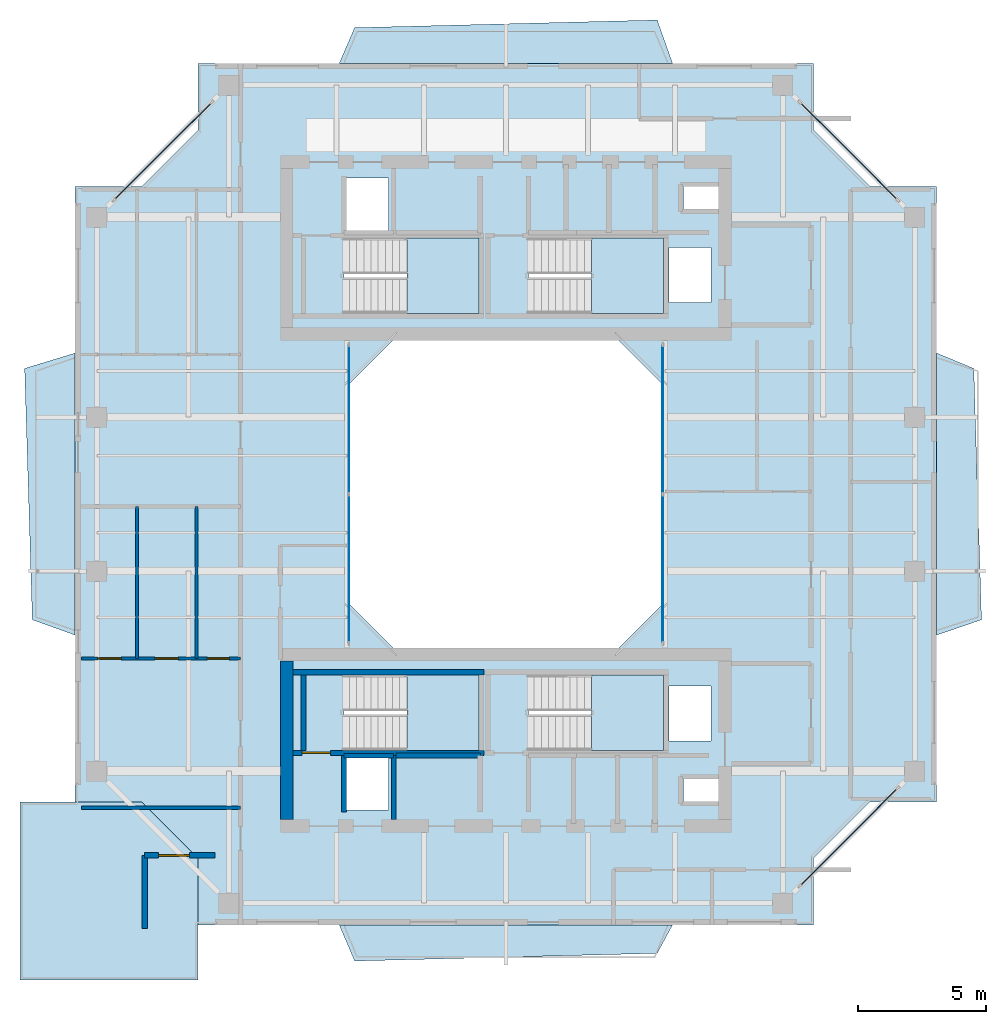
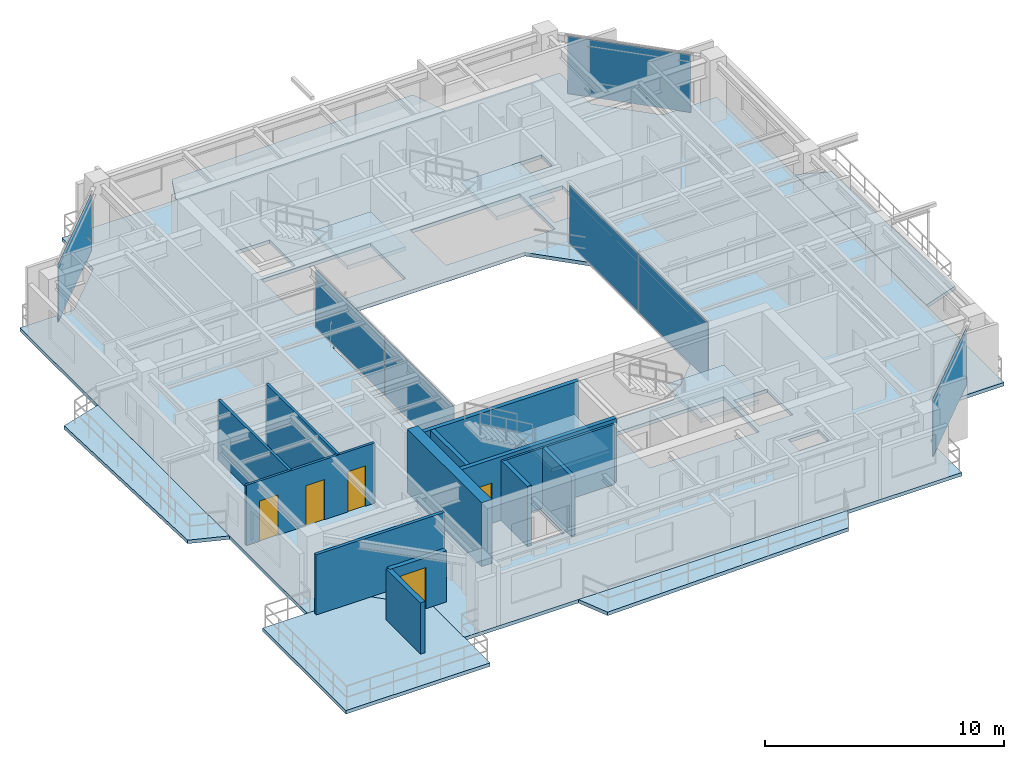
# One storey, part 8 of 15: 14 walls, 10 slabs, 7 plates, 5 doors, 5 openings, 9 elements without a shape of their own.
"""IFC4 building model written with IfcOpenShell, lengths in metres."""

import ifcopenshell
import ifcopenshell.guid

model = None  # the IFC model being written
_history = None  # IfcOwnerHistory: only IFC2X3 demands one
_inside = {}  # id of a spatial element -> (the spatial element, [elements in it])
_under = {}  # id of a project, library or spatial element -> (it, [spatial elements below it])
_declared = {}  # id of a project -> (the project, [libraries it declares])
_typed = {}  # id of a type object -> (the type object, [elements of that type])
_made_of = {}  # id of a material, layer set ... -> (it, [elements and type objects made of it])


def new_model(schema):
    """Start an empty IFC model of exactly this schema.

    Asked for "IFC4X3", IfcOpenShell would pick the latest addendum, in which some entities
    have other attributes; the version numbers below select the first issue.
    IFC2X3 requires an IfcOwnerHistory on every rooted entity: one is made here for all.
    """
    global model, _history
    if schema == "IFC4X3":
        model = ifcopenshell.file(schema_version=(4, 3, 0, 0))
    else:
        model = ifcopenshell.file(schema=schema)
    _inside.clear()
    _under.clear()
    _declared.clear()
    _typed.clear()
    _made_of.clear()
    _history = None
    if model.schema == "IFC2X3":
        org = make("IfcOrganization", Name="unknown")
        user = make(
            "IfcPersonAndOrganization",
            ThePerson=make("IfcPerson", FamilyName="unknown"),
            TheOrganization=org,
        )
        app = make(
            "IfcApplication",
            ApplicationDeveloper=org,
            Version="unknown",
            ApplicationFullName="unknown",
            ApplicationIdentifier="unknown",
        )
        _history = make(
            "IfcOwnerHistory",
            OwningUser=user,
            OwningApplication=app,
            ChangeAction="ADDED",
            CreationDate=0,
        )
    return model


def make(cls, **values):
    """One entity of the class cls with the attributes given. An attribute that is None is left unset."""
    return model.create_entity(
        cls, **{name: value for name, value in values.items() if value is not None}
    )


def rooted(cls, **values):
    """An entity with a GlobalId (a new one), such as an element, a storey or a relation."""
    return make(cls, GlobalId=ifcopenshell.guid.new(), OwnerHistory=_history, **values)


def si_unit(unit_type, name, prefix=None):
    """IfcSIUnit, for example si_unit("LENGTHUNIT", "METRE", prefix="MILLI")."""
    return make("IfcSIUnit", UnitType=unit_type, Prefix=prefix, Name=name)


def assignment(units):
    """IfcUnitAssignment: the units of a project."""
    return None if units is None else make("IfcUnitAssignment", Units=units)


def point(xyz):
    """IfcCartesianPoint."""
    return None if xyz is None else make("IfcCartesianPoint", Coordinates=xyz)


def direction(xyz):
    """IfcDirection."""
    return None if xyz is None else make("IfcDirection", DirectionRatios=xyz)


def frame(location, z_axis=None, x_axis=None):
    """IfcAxis2Placement3D, a coordinate frame: its origin and axes. An axis left out is left unset."""
    return make(
        "IfcAxis2Placement3D",
        Location=point(location),
        Axis=direction(z_axis),
        RefDirection=direction(x_axis),
    )


def frame_2d(location, x_axis=None):
    """IfcAxis2Placement2D, a coordinate frame in the plane: its origin and x axis."""
    return make(
        "IfcAxis2Placement2D", Location=point(location), RefDirection=direction(x_axis)
    )


def origin():
    """The frame at (0, 0, 0) with its axes left unset."""
    return frame((0.0, 0.0, 0.0))


def origin_2d():
    """The frame at (0, 0) in the plane with its x axis left unset."""
    return frame_2d((0.0, 0.0))


def place(relative_to, where):
    """IfcLocalPlacement: puts the frame where relative to a parent placement (None: the world)."""
    return make(
        "IfcLocalPlacement", PlacementRelTo=relative_to, RelativePlacement=where
    )


def context(
    kind, dimensions, precision=None, world=None, true_north=None, identifier=None
):
    """IfcGeometricRepresentationContext, for example the 3D "Model" context."""
    return make(
        "IfcGeometricRepresentationContext",
        ContextIdentifier=identifier,
        ContextType=kind,
        CoordinateSpaceDimension=dimensions,
        Precision=precision,
        WorldCoordinateSystem=world,
        TrueNorth=true_north,
    )


def subcontext(parent, identifier, kind, view, scale=None):
    """IfcGeometricRepresentationSubContext, for example "Body" below "Model"."""
    return make(
        "IfcGeometricRepresentationSubContext",
        ContextIdentifier=identifier,
        ContextType=kind,
        ParentContext=parent,
        TargetScale=scale,
        TargetView=view,
    )


def project(units=None, contexts=None):
    """IfcProject with its units and contexts."""
    return rooted(
        "IfcProject",
        Name="project",
        RepresentationContexts=contexts,
        UnitsInContext=assignment(units),
    )


def spatial(cls, under=None, at=None, **own):
    """A site, building, storey or space (cls), placed at a placement, below another one or the project."""
    s = rooted(cls, ObjectPlacement=at, **own)
    if under is not None:
        _under.setdefault(under.id(), (under, []))[1].append(s)
    return s


def polyline(points):
    """IfcPolyline through the points."""
    return make("IfcPolyline", Points=[point(p) for p in points])


def profile(cls, at=None, kind="AREA", **sizes):
    """A parametric profile (cls). Its sizes go by their IFC names, for example OverallWidth=200.0."""
    return make(cls, ProfileType=kind, Position=at, **sizes)


def rectangle(**sizes):
    """IfcRectangleProfileDef."""
    return profile("IfcRectangleProfileDef", **sizes)


def outline(outer, holes=None, kind="AREA"):
    """IfcArbitraryClosedProfileDef: a profile drawn as a closed curve; with holes, ...WithVoids."""
    if holes is None:
        return make("IfcArbitraryClosedProfileDef", ProfileType=kind, OuterCurve=outer)
    return make(
        "IfcArbitraryProfileDefWithVoids",
        ProfileType=kind,
        OuterCurve=outer,
        InnerCurves=holes,
    )


def extrude(swept, where, along, depth):
    """IfcExtrudedAreaSolid: the profile swept, set in the frame where, extruded along a direction by depth."""
    return make(
        "IfcExtrudedAreaSolid",
        SweptArea=swept,
        Position=where,
        ExtrudedDirection=direction(along),
        Depth=depth,
    )


def shape(context_of_items, identifier, shape_type, items):
    """IfcShapeRepresentation: the items that make up one representation, for example the "Body"."""
    return make(
        "IfcShapeRepresentation",
        ContextOfItems=context_of_items,
        RepresentationIdentifier=identifier,
        RepresentationType=shape_type,
        Items=items,
    )


def source(mapping_origin, context_of_items, identifier, shape_type, items):
    """IfcRepresentationMap: a shape defined once, which mapped items show again and again."""
    return make(
        "IfcRepresentationMap",
        MappingOrigin=mapping_origin,
        MappedRepresentation=shape(context_of_items, identifier, shape_type, items),
    )


def transform(
    local_origin,
    x_axis=None,
    y_axis=None,
    z_axis=None,
    scale=None,
    scale2=None,
    scale3=None,
    uniform=True,
):
    """IfcCartesianTransformationOperator3D, or its non-uniform kind. x_axis, y_axis, z_axis: its Axis1, 2, 3."""
    if uniform:
        return make(
            "IfcCartesianTransformationOperator3D",
            Axis1=direction(x_axis),
            Axis2=direction(y_axis),
            LocalOrigin=point(local_origin),
            Scale=scale,
            Axis3=direction(z_axis),
        )
    return make(
        "IfcCartesianTransformationOperator3DnonUniform",
        Axis1=direction(x_axis),
        Axis2=direction(y_axis),
        LocalOrigin=point(local_origin),
        Scale=scale,
        Axis3=direction(z_axis),
        Scale2=scale2,
        Scale3=scale3,
    )


def mapped(mapping_source, mapping_target):
    """IfcMappedItem: shows the shape of a source again, moved by a transform."""
    return make(
        "IfcMappedItem", MappingSource=mapping_source, MappingTarget=mapping_target
    )


def material(Name=None, Category=None):
    """IfcMaterial."""
    return make("IfcMaterial", Name=Name, Category=Category)


def layer(
    of_material, thickness, ventilated=None, Name=None, Category=None, Priority=None
):
    """IfcMaterialLayer: one layer of a wall or slab, of a material (None: an air gap)."""
    return make(
        "IfcMaterialLayer",
        Material=of_material,
        LayerThickness=thickness,
        IsVentilated=ventilated,
        Name=Name,
        Category=Category,
        Priority=Priority,
    )


def layer_set(layers, Name=None):
    """IfcMaterialLayerSet."""
    return make("IfcMaterialLayerSet", MaterialLayers=layers, LayerSetName=Name)


def made_of(thing, what):
    """Note that an element or type object is made of a material, layer set ...; save() writes the relation."""
    if what is not None:
        _made_of.setdefault(what.id(), (what, []))[1].append(thing)
    return thing


def type_object(cls, material=None, **own):
    """A type object (cls), such as IfcWallType, which elements share."""
    return made_of(rooted(cls, **own), material)


def element(
    cls,
    number,
    at=None,
    inside=None,
    cuts=None,
    type_object=None,
    material=None,
    context=None,
    identifier="Body",
    shape_type=None,
    held_by="IfcProductDefinitionShape",
    body=None,
    shapes=None,
    **own,
):
    """One element of the class cls, such as IfcWall. Its Tag is "e" and its number.

    at: its placement. inside: the storey or other place that contains it. cuts: it is an
    opening in that element (IfcRelVoidsElement). A single representation is given by context,
    identifier, shape_type and body (its items); several are given by shapes. held_by: the class
    of the entity that holds the representations. save() writes the other relations.
    """
    e = rooted(cls, Tag="e%d" % number, ObjectPlacement=at, **own)
    if body is not None:
        shapes = [shape(context, identifier, shape_type, body)]
    if shapes is not None:
        e.Representation = make(held_by, Representations=shapes)
    if inside is not None:
        _inside.setdefault(inside.id(), (inside, []))[1].append(e)
    if cuts is not None:
        rooted(
            "IfcRelVoidsElement", RelatingBuildingElement=cuts, RelatedOpeningElement=e
        )
    if type_object is not None:
        _typed.setdefault(type_object.id(), (type_object, []))[1].append(e)
    return made_of(e, material)


def fill(opening, filler):
    """IfcRelFillsElement: the door or window that sits in an opening."""
    return rooted(
        "IfcRelFillsElement",
        RelatingOpeningElement=opening,
        RelatedBuildingElement=filler,
    )


def aggregate(whole, parts):
    """IfcRelAggregates: a whole, such as a stair, and the parts it consists of."""
    return rooted("IfcRelAggregates", RelatingObject=whole, RelatedObjects=parts)


def save(model, path):
    """Write the relations noted so far, then the file.

    IfcRelAggregates (storeys below a building ...), IfcRelContainedInSpatialStructure (elements
    in a storey), IfcRelDefinesByType, IfcRelAssociatesMaterial and IfcRelDeclares: one each for
    every whole, place, type object, material and project.
    """
    for whole, parts in _under.values():
        aggregate(whole, parts)
    for where, things in _inside.values():
        rooted(
            "IfcRelContainedInSpatialStructure",
            RelatedElements=things,
            RelatingStructure=where,
        )
    for kind, things in _typed.values():
        rooted("IfcRelDefinesByType", RelatedObjects=things, RelatingType=kind)
    for what, things in _made_of.values():
        rooted("IfcRelAssociatesMaterial", RelatedObjects=things, RelatingMaterial=what)
    for by, libraries in _declared.values():
        rooted("IfcRelDeclares", RelatingContext=by, RelatedDefinitions=libraries)
    model.write(path)


model = new_model("IFC4")

# Units and contexts
model_context = context("Model", 3, precision=1e-05, world=origin(), true_north=direction((0.0, 1.0)))
body_context = subcontext(model_context, "Body", "Model", "MODEL_VIEW")
ifc_project = project(units=[si_unit("LENGTHUNIT", "METRE"), si_unit("AREAUNIT", "SQUARE_METRE"), si_unit("VOLUMEUNIT", "CUBIC_METRE"), si_unit("PLANEANGLEUNIT", "RADIAN"), si_unit("MASSUNIT", "GRAM", prefix="KILO"), si_unit("THERMODYNAMICTEMPERATUREUNIT", "KELVIN"), si_unit("POWERUNIT", "WATT")], contexts=[model_context])

# Site, building, storey
site_placement = place(None, origin())
site = spatial("IfcSite", under=ifc_project, at=site_placement, CompositionType="ELEMENT")
building_placement = place(site_placement, origin())
building = spatial("IfcBuilding", under=site, at=building_placement, Name="Qiaomeng Ring Towers", CompositionType="ELEMENT")
storey_placement = place(building_placement, frame((0.0, 0.0, 193.75)))
storey = spatial("IfcBuildingStorey", under=building, at=storey_placement, Name="L56", CompositionType="ELEMENT", Elevation=193.75)

# Slabs
ifc_material_1 = material(Name="Concrete C40", Category="concrete")
ifc_layer_1 = layer(ifc_material_1, 0.179931640625, Name="Concrete C40")
ifc_layer_set_1 = layer_set([ifc_layer_1], Name="Concrete C40")
slab_type_1 = type_object("IfcSlabType", Name="STR-SL-180", PredefinedType="FLOOR", material=ifc_layer_set_1)
slab_1_placement = place(storey_placement, frame((0.0, 0.0, -0.179931640625)))
element("IfcSlab", 1, at=slab_1_placement, inside=storey, type_object=slab_type_1, Name="L56 Tower 1 Annular Floor Slab", PredefinedType="FLOOR", context=body_context, shape_type="SweptSolid", body=[
    extrude(outline(polyline([(7.0, 6.199951171875), (31.0, 6.199951171875), (31.0, 8.800048828125), (33.199951171875, 11.0), (35.800048828125, 11.0), (35.800048828125, 35.0), (33.199951171875, 35.0), (31.0, 37.199951171875), (31.0, 39.800048828125), (7.0, 39.800048828125), (7.0, 37.199951171875), (4.800048828125, 35.0), (2.199951171875, 35.0), (2.199951171875, 11.0), (4.800048828125, 11.0), (7.0, 8.800048828125), (7.0, 6.199951171875)]), holes=[polyline([(12.780029296875, 10.679931640625), (12.780029296875, 12.820068359375), (14.419921875, 12.820068359375), (14.419921875, 10.679931640625), (12.780029296875, 10.679931640625)]), polyline([(12.679931640625, 13.010009765625), (12.679931640625, 15.949951171875), (17.949951171875, 15.949951171875), (17.949951171875, 13.010009765625), (12.679931640625, 13.010009765625)]), polyline([(23.199951171875, 29.199951171875), (25.199951171875, 27.199951171875), (25.199951171875, 18.800048828125), (23.199951171875, 16.800048828125), (14.800048828125, 16.800048828125), (12.800048828125, 18.800048828125), (12.800048828125, 27.199951171875), (14.800048828125, 29.199951171875), (23.199951171875, 29.199951171875)]), polyline([(12.679931640625, 32.989990234375), (17.949951171875, 32.989990234375), (17.949951171875, 30.050048828125), (12.679931640625, 30.050048828125), (12.679931640625, 32.989990234375)]), polyline([(19.8798828125, 32.989990234375), (25.14990234375, 32.989990234375), (25.14990234375, 30.050048828125), (19.8798828125, 30.050048828125), (19.8798828125, 32.989990234375)]), polyline([(12.780029296875, 33.179931640625), (12.780029296875, 35.320068359375), (14.419921875, 35.320068359375), (14.419921875, 33.179931640625), (12.780029296875, 33.179931640625)]), polyline([(25.919921875, 11.89990234375), (27.360107421875, 11.89990234375), (27.360107421875, 11.0), (25.919921875, 11.0), (25.919921875, 11.89990234375)]), polyline([(25.360107421875, 15.52001953125), (27.0, 15.52001953125), (27.0, 13.3798828125), (25.360107421875, 13.3798828125), (25.360107421875, 15.52001953125)]), polyline([(19.8798828125, 13.010009765625), (19.8798828125, 15.949951171875), (25.14990234375, 15.949951171875), (25.14990234375, 13.010009765625), (19.8798828125, 13.010009765625)]), polyline([(25.360107421875, 32.6201171875), (27.0, 32.6201171875), (27.0, 30.47998046875), (25.360107421875, 30.47998046875), (25.360107421875, 32.6201171875)]), polyline([(25.919921875, 35.0), (27.360107421875, 35.0), (27.360107421875, 34.10009765625), (25.919921875, 34.10009765625), (25.919921875, 35.0)])]), origin(), (0.0, 0.0, 1.0), 0.179931640625),
])
ifc_layer_2 = layer(ifc_material_1, 0.179931640625, Name="Concrete C40")
ifc_layer_set_2 = layer_set([ifc_layer_2], Name="Concrete C40")
slab_type_2 = type_object("IfcSlabType", Name="STR-SL-BAL", PredefinedType="FLOOR", material=ifc_layer_set_2)
slab_2_placement = place(storey_placement, frame((0.0, 0.0, -0.179931640625)))
element("IfcSlab", 2, at=slab_2_placement, inside=storey, type_object=slab_type_2, Name="L56 Tower 1 S Faceted Balcony Slab", PredefinedType="FLOOR", context=body_context, shape_type="SweptSolid", body=[
    extrude(outline(polyline([(25.5, 6.199951171875), (24.89990234375, 5.090087890625), (13.10009765625, 4.7900390625), (12.5, 6.199951171875), (25.5, 6.199951171875)])), origin(), (0.0, 0.0, 1.0), 0.179931640625),
])
slab_3_placement = place(storey_placement, frame((0.0, 0.0, -0.179931640625)))
element("IfcSlab", 3, at=slab_3_placement, inside=storey, type_object=slab_type_2, Name="L56 Tower 1 E Faceted Balcony Slab", PredefinedType="FLOOR", context=body_context, shape_type="SweptSolid", body=[
    extrude(outline(polyline([(37.25, 27.89990234375), (37.550048828125, 18.10009765625), (35.800048828125, 17.5), (35.800048828125, 28.5), (37.25, 27.89990234375)])), origin(), (0.0, 0.0, 1.0), 0.179931640625),
])
slab_4_placement = place(storey_placement, frame((0.0, 0.0, -0.179931640625)))
element("IfcSlab", 4, at=slab_4_placement, inside=storey, type_object=slab_type_2, Name="L56 Tower 1 N Faceted Balcony Slab", PredefinedType="FLOOR", context=body_context, shape_type="SweptSolid", body=[
    extrude(outline(polyline([(12.5, 39.800048828125), (13.10009765625, 41.18994140625), (24.89990234375, 41.489990234375), (25.5, 39.800048828125), (12.5, 39.800048828125)])), origin(), (0.0, 0.0, 1.0), 0.179931640625),
])
slab_5_placement = place(storey_placement, frame((0.0, 0.0, -0.179931640625)))
element("IfcSlab", 5, at=slab_5_placement, inside=storey, type_object=slab_type_2, Name="L56 Tower 1 W Faceted Balcony Slab", PredefinedType="FLOOR", context=body_context, shape_type="SweptSolid", body=[
    extrude(outline(polyline([(0.530029296875, 18.10009765625), (0.22998046875, 27.89990234375), (2.199951171875, 28.5), (2.199951171875, 17.5), (0.530029296875, 18.10009765625)])), origin(), (0.0, 0.0, 1.0), 0.179931640625),
])

# Stair, slab
ifc_material_2 = material(Name="Precast concrete C40", Category="concrete")
stair_type = type_object("IfcStairType", Name="ARC-ST-325", PredefinedType="HALF_TURN_STAIR", material=ifc_material_2)
stair_1_placement = place(storey_placement, origin())
stair_1 = element("IfcStair", 6, at=stair_1_placement, inside=storey, type_object=stair_type, Name="L56 Tower 1 North Stair 1", PredefinedType="HALF_TURN_STAIR")
ifc_layer_3 = layer(ifc_material_1, 0.199951171875, Name="Concrete C40")
ifc_layer_set_3 = layer_set([ifc_layer_3], Name="Concrete C40")
slab_type_3 = type_object("IfcSlabType", Name="STR-SL-LANDING", PredefinedType="LANDING", material=ifc_layer_set_3)
slab_6_placement = place(storey_placement, frame((0.0, 0.0, 1.425048828125)))
slab_6 = element("IfcSlab", 7, at=slab_6_placement, type_object=slab_type_3, Name="ST1 landing 1", PredefinedType="LANDING", context=body_context, shape_type="SweptSolid", body=[
    extrude(outline(polyline([(15.139892578125, 30.050048828125), (17.949951171875, 30.050048828125), (17.949951171875, 32.989990234375), (15.139892578125, 32.989990234375), (15.139892578125, 30.050048828125)])), origin(), (0.0, 0.0, 1.0), 0.199951171875),
])
aggregate(stair_1, [slab_6])

stair_2_placement = place(storey_placement, origin())
stair_2 = element("IfcStair", 8, at=stair_2_placement, inside=storey, type_object=stair_type, Name="L56 Tower 1 North Stair 2", PredefinedType="HALF_TURN_STAIR")
slab_7_placement = place(storey_placement, frame((0.0, 0.0, 1.425048828125)))
slab_7 = element("IfcSlab", 9, at=slab_7_placement, type_object=slab_type_3, Name="ST2 landing 1", PredefinedType="LANDING", context=body_context, shape_type="SweptSolid", body=[
    extrude(outline(polyline([(22.340087890625, 30.050048828125), (25.14990234375, 30.050048828125), (25.14990234375, 32.989990234375), (22.340087890625, 32.989990234375), (22.340087890625, 30.050048828125)])), origin(), (0.0, 0.0, 1.0), 0.199951171875),
])
aggregate(stair_2, [slab_7])

stair_3_placement = place(storey_placement, origin())
stair_3 = element("IfcStair", 10, at=stair_3_placement, inside=storey, type_object=stair_type, Name="L56 Tower 1 South Stair 3", PredefinedType="HALF_TURN_STAIR")
slab_8_placement = place(storey_placement, frame((0.0, 0.0, 1.425048828125)))
slab_8 = element("IfcSlab", 11, at=slab_8_placement, type_object=slab_type_3, Name="ST3 landing 1", PredefinedType="LANDING", context=body_context, shape_type="SweptSolid", body=[
    extrude(outline(polyline([(15.139892578125, 13.010009765625), (17.949951171875, 13.010009765625), (17.949951171875, 15.949951171875), (15.139892578125, 15.949951171875), (15.139892578125, 13.010009765625)])), origin(), (0.0, 0.0, 1.0), 0.199951171875),
])
aggregate(stair_3, [slab_8])

stair_4_placement = place(storey_placement, origin())
stair_4 = element("IfcStair", 12, at=stair_4_placement, inside=storey, type_object=stair_type, Name="L56 Tower 1 South Stair 4", PredefinedType="HALF_TURN_STAIR")
slab_9_placement = place(storey_placement, frame((0.0, 0.0, 1.425048828125)))
slab_9 = element("IfcSlab", 13, at=slab_9_placement, type_object=slab_type_3, Name="ST4 landing 1", PredefinedType="LANDING", context=body_context, shape_type="SweptSolid", body=[
    extrude(outline(polyline([(22.340087890625, 13.010009765625), (25.14990234375, 13.010009765625), (25.14990234375, 15.949951171875), (22.340087890625, 15.949951171875), (22.340087890625, 13.010009765625)])), origin(), (0.0, 0.0, 1.0), 0.199951171875),
])
aggregate(stair_4, [slab_9])

# Slab
ifc_layer_4 = layer(ifc_material_1, 0.179931640625, Name="Concrete C40")
ifc_layer_set_4 = layer_set([ifc_layer_4], Name="Concrete C40")
slab_type_4 = type_object("IfcSlabType", Name="STR-SL-TERR180", PredefinedType="FLOOR", material=ifc_layer_set_4)
slab_10_placement = place(storey_placement, frame((0.0, 0.0, -0.179931640625)))
element("IfcSlab", 14, at=slab_10_placement, inside=storey, type_object=slab_type_4, Name="L56 Spiralling Corner Sky Terrace SW", PredefinedType="FLOOR", context=body_context, shape_type="SweptSolid", body=[
    extrude(outline(polyline([(7.0, 4.050048828125), (0.050048828125, 4.050048828125), (0.050048828125, 11.0), (2.199951171875, 11.0), (4.800048828125, 11.0), (7.0, 8.800048828125), (7.0, 4.050048828125)])), origin(), (0.0, 0.0, 1.0), 0.179931640625),
])

# Curtain wall, plates
ifc_material_3 = material(Name="Fluorocarbon dark-grey aluminium", Category="aluminium")
ifc_layer_5 = layer(ifc_material_3, 0.139892578125, Name="Fluorocarbon dark-grey aluminium")
ifc_layer_set_5 = layer_set([ifc_layer_5], Name="Fluorocarbon dark-grey aluminium")
curtain_wall_type_1 = type_object("IfcCurtainWallType", Name="ARC-CW-4", PredefinedType="NOTDEFINED", material=ifc_layer_set_5)
curtain_wall_1_placement = place(storey_placement, origin())
curtain_wall_1 = element("IfcCurtainWall", 15, at=curtain_wall_1_placement, inside=storey, type_object=curtain_wall_type_1, Name="L56 Curtain Wall CW4", PredefinedType="NOTDEFINED")
ifc_material_4 = material(Name="Low-E dark-grey laminated double glazing", Category="glass")
ifc_layer_6 = layer(ifc_material_4, 0.028076171875, Name="Low-E dark-grey laminated double glazing")
ifc_layer_set_6 = layer_set([ifc_layer_6], Name="Low-E dark-grey laminated double glazing")
plate_type = type_object("IfcPlateType", Name="ARC-CWP-DARK", PredefinedType="CURTAIN_PANEL", material=ifc_layer_set_6)
shared_shape_1 = source(origin(), body_context, "Body", "SweptSolid", [
    extrude(rectangle(XDim=5.75244140625, YDim=0.028076171875, at=origin_2d()), origin(), (0.0, 0.0, 1.0), 2.93994140625),
])
plate_1_placement = place(storey_placement, frame((12.8798828125, 20.09130859375, 0.06494140625), z_axis=(0.0, 0.0, 1.0), x_axis=(0.0, 1.0, 0.0)))
plate_1 = element("IfcPlate", 16, at=plate_1_placement, type_object=plate_type, Name="CW4 panel 1.1", PredefinedType="CURTAIN_PANEL", context=body_context, shape_type="MappedRepresentation", body=[
    mapped(shared_shape_1, transform((0.0, 0.0, 0.0), x_axis=(1.0, 0.0, 0.0), y_axis=(0.0, 1.0, 0.0), z_axis=(0.0, 0.0, 1.0), scale=1.0)),
])
plate_2_placement = place(storey_placement, frame((12.8798828125, 25.90869140625, 0.06494140625), z_axis=(0.0, 0.0, 1.0), x_axis=(0.0, 1.0, 0.0)))
plate_2 = element("IfcPlate", 17, at=plate_2_placement, type_object=plate_type, Name="CW4 panel 2.1", PredefinedType="CURTAIN_PANEL", context=body_context, shape_type="MappedRepresentation", body=[
    mapped(shared_shape_1, transform((0.0, 0.0, 0.0), x_axis=(1.0, 0.0, 0.0), y_axis=(0.0, 1.0, 0.0), z_axis=(0.0, 0.0, 1.0), scale=1.0)),
])
aggregate(curtain_wall_1, [plate_1, plate_2])

curtain_wall_2_placement = place(storey_placement, origin())
curtain_wall_2 = element("IfcCurtainWall", 18, at=curtain_wall_2_placement, inside=storey, type_object=curtain_wall_type_1, Name="L56 Curtain Wall CW4", PredefinedType="NOTDEFINED")
plate_3_placement = place(storey_placement, frame((25.1201171875, 20.09130859375, 0.06494140625), z_axis=(0.0, 0.0, 1.0), x_axis=(0.0, 1.0, 0.0)))
plate_3 = element("IfcPlate", 19, at=plate_3_placement, type_object=plate_type, Name="CW4 panel 1.1", PredefinedType="CURTAIN_PANEL", context=body_context, shape_type="MappedRepresentation", body=[
    mapped(shared_shape_1, transform((0.0, 0.0, 0.0), x_axis=(1.0, 0.0, 0.0), y_axis=(0.0, 1.0, 0.0), z_axis=(0.0, 0.0, 1.0), scale=1.0)),
])
plate_4_placement = place(storey_placement, frame((25.1201171875, 25.90869140625, 0.06494140625), z_axis=(0.0, 0.0, 1.0), x_axis=(0.0, 1.0, 0.0)))
plate_4 = element("IfcPlate", 20, at=plate_4_placement, type_object=plate_type, Name="CW4 panel 2.1", PredefinedType="CURTAIN_PANEL", context=body_context, shape_type="MappedRepresentation", body=[
    mapped(shared_shape_1, transform((0.0, 0.0, 0.0), x_axis=(1.0, 0.0, 0.0), y_axis=(0.0, 1.0, 0.0), z_axis=(0.0, 0.0, 1.0), scale=1.0)),
])
aggregate(curtain_wall_2, [plate_3, plate_4])

# Curtain wall, plate
ifc_layer_7 = layer(ifc_material_3, 0.14990234375, Name="Fluorocarbon dark-grey aluminium")
ifc_layer_set_7 = layer_set([ifc_layer_7], Name="Fluorocarbon dark-grey aluminium")
curtain_wall_type_2 = type_object("IfcCurtainWallType", Name="ARC-CW-3", PredefinedType="NOTDEFINED", material=ifc_layer_set_7)
curtain_wall_3_placement = place(storey_placement, origin())
curtain_wall_3 = element("IfcCurtainWall", 21, at=curtain_wall_3_placement, inside=storey, type_object=curtain_wall_type_2, Name="L56 Curtain Wall CW3", PredefinedType="NOTDEFINED")
shared_shape_2 = source(origin(), body_context, "Body", "SweptSolid", [
    extrude(rectangle(XDim=5.3330078125, YDim=0.028076171875, at=origin_2d()), origin(), (0.0, 0.0, 1.0), 2.93994140625),
])
plate_5_placement = place(storey_placement, frame((32.375, 9.625, 0.06494140625), z_axis=(0.0, 0.0, 1.0), x_axis=(0.707106781187, 0.707106781187, 0.0)))
plate_5 = element("IfcPlate", 22, at=plate_5_placement, type_object=plate_type, Name="CW3 panel 1.1", PredefinedType="CURTAIN_PANEL", context=body_context, shape_type="MappedRepresentation", body=[
    mapped(shared_shape_2, transform((0.0, 0.0, 0.0), x_axis=(1.0, 0.0, 0.0), y_axis=(0.0, 1.0, 0.0), z_axis=(0.0, 0.0, 1.0), scale=1.0)),
])
aggregate(curtain_wall_3, [plate_5])

curtain_wall_4_placement = place(storey_placement, origin())
curtain_wall_4 = element("IfcCurtainWall", 23, at=curtain_wall_4_placement, inside=storey, type_object=curtain_wall_type_2, Name="L56 Curtain Wall CW3", PredefinedType="NOTDEFINED")
plate_6_placement = place(storey_placement, frame((32.375, 36.375, 0.06494140625), z_axis=(0.0, 0.0, 1.0), x_axis=(-0.707106781187, 0.707106781187, 0.0)))
plate_6 = element("IfcPlate", 24, at=plate_6_placement, type_object=plate_type, Name="CW3 panel 1.1", PredefinedType="CURTAIN_PANEL", context=body_context, shape_type="MappedRepresentation", body=[
    mapped(shared_shape_2, transform((0.0, 0.0, 0.0), x_axis=(1.0, 0.0, 0.0), y_axis=(0.0, 1.0, 0.0), z_axis=(0.0, 0.0, 1.0), scale=1.0)),
])
aggregate(curtain_wall_4, [plate_6])

curtain_wall_5_placement = place(storey_placement, origin())
curtain_wall_5 = element("IfcCurtainWall", 25, at=curtain_wall_5_placement, inside=storey, type_object=curtain_wall_type_2, Name="L56 Curtain Wall CW3", PredefinedType="NOTDEFINED")
plate_7_placement = place(storey_placement, frame((5.625, 36.375, 0.06494140625), z_axis=(0.0, 0.0, 1.0), x_axis=(-0.707106781187, -0.707106781187, 0.0)))
plate_7 = element("IfcPlate", 26, at=plate_7_placement, type_object=plate_type, Name="CW3 panel 1.1", PredefinedType="CURTAIN_PANEL", context=body_context, shape_type="MappedRepresentation", body=[
    mapped(shared_shape_2, transform((0.0, 0.0, 0.0), x_axis=(1.0, 0.0, 0.0), y_axis=(0.0, 1.0, 0.0), z_axis=(0.0, 0.0, 1.0), scale=1.0)),
])
aggregate(curtain_wall_5, [plate_7])

# Wall, opening, door
ifc_layer_8 = layer(ifc_material_2, 0.219970703125, Name="Precast concrete C40")
ifc_layer_set_8 = layer_set([ifc_layer_8], Name="Precast concrete C40")
wall_type_1 = type_object("IfcWallType", Name="ARC-WL-EW2", PredefinedType="STANDARD", material=ifc_layer_set_8)
wall_1_placement = place(storey_placement, frame((4.909912109375, 8.909912109375, 0.0), z_axis=(0.0, 0.0, 1.0), x_axis=(1.0, 0.0, 0.0)))
wall_1 = element("IfcWall", 27, at=wall_1_placement, inside=storey, type_object=wall_type_1, Name="L56 Spiral Terrace Wall SW", PredefinedType="STANDARD", context=body_context, shape_type="SweptSolid", body=[
    extrude(rectangle(XDim=2.739990234375, YDim=0.219970703125, at=frame_2d((1.3701171875, 0.0))), origin(), (0.0, 0.0, 1.0), 2.610107421875),
])
opening_1_placement = place(wall_1_placement, frame((0.550048828125, 0.0, 0.0)))
opening_1 = element("IfcOpeningElement", 28, at=opening_1_placement, cuts=wall_1, Name="Opening BD1", PredefinedType="OPENING", context=body_context, shape_type="SweptSolid", body=[
    extrude(rectangle(XDim=1.199951171875, YDim=2.10009765625, at=frame_2d((0.60009765625, 1.050048828125))), frame((0.0, 0.119873046875, 0.0), z_axis=(0.0, -1.0, 0.0), x_axis=(1.0, 0.0, 0.0)), (0.0, 0.0, 1.0), 0.239990234375),
])
door_type_1 = type_object("IfcDoorType", Name="ARC-DR-BD1", OperationType="NOTDEFINED", PredefinedType="DOOR", material=ifc_material_4)
shared_shape_3 = source(origin(), body_context, "Body", "SweptSolid", [
    extrude(rectangle(XDim=1.199951171875, YDim=2.10009765625, at=frame_2d((0.60009765625, 1.050048828125))), frame((0.0, 0.02490234375, 0.0), z_axis=(0.0, -1.0, 0.0), x_axis=(1.0, 0.0, 0.0)), (0.0, 0.0, 1.0), 0.050048828125),
])
door_1_placement = place(opening_1_placement, origin())
door_1 = element("IfcDoor", 29, at=door_1_placement, inside=storey, type_object=door_type_1, Name="L56 Spiral Sky Terrace Door SW", OperationType="SINGLE_SWING_LEFT", OverallHeight=2.10009765625, OverallWidth=1.199951171875, PredefinedType="DOOR", context=body_context, shape_type="MappedRepresentation", body=[
    mapped(shared_shape_3, transform((0.0, 0.0, 0.0), x_axis=(1.0, 0.0, 0.0), y_axis=(0.0, 1.0, 0.0), z_axis=(0.0, 0.0, 1.0), scale=1.0)),
])
fill(opening_1, door_1)

# Walls
wall_2_placement = place(storey_placement, frame((4.909912109375, 6.050048828125, 0.0), z_axis=(0.0, 0.0, 1.0), x_axis=(0.0, 1.0, 0.0)))
element("IfcWall", 30, at=wall_2_placement, inside=storey, type_object=wall_type_1, Name="L56 Spiral Terrace Return Wall SW", PredefinedType="STANDARD", context=body_context, shape_type="SweptSolid", body=[
    extrude(rectangle(XDim=2.85986328125, YDim=0.219970703125, at=frame_2d((1.429931640625, 0.0))), origin(), (0.0, 0.0, 1.0), 2.610107421875),
])
ifc_material_5 = material(Name="Autoclaved aerated concrete block", Category="concrete")
ifc_layer_9 = layer(ifc_material_5, 0.199951171875, Name="Autoclaved aerated concrete block")
ifc_layer_set_9 = layer_set([ifc_layer_9], Name="Autoclaved aerated concrete block")
wall_type_2 = type_object("IfcWallType", Name="ARC-WL-PW1", PredefinedType="PARTITIONING", material=ifc_layer_set_9)
wall_3_placement = place(storey_placement, frame((12.679931640625, 10.60009765625, 0.0), z_axis=(0.0, 0.0, 1.0), x_axis=(0.0, 1.0, 0.0)))
element("IfcWall", 31, at=wall_3_placement, inside=storey, type_object=wall_type_2, Name="L56 Interior Wall PW1", PredefinedType="PARTITIONING", context=body_context, shape_type="SweptSolid", body=[
    extrude(rectangle(XDim=2.2099609375, YDim=0.199951171875, at=frame_2d((1.10498046875, 0.0))), origin(), (0.0, 0.0, 1.0), 3.070068359375),
])
wall_4_placement = place(storey_placement, frame((14.719970703125, 12.800048828125, 0.0), z_axis=(0.0, 0.0, 1.0), x_axis=(1.0, 0.0, 0.0)))
element("IfcWall", 32, at=wall_4_placement, inside=storey, type_object=wall_type_2, Name="L56 Interior Wall PW1", PredefinedType="PARTITIONING", context=body_context, shape_type="SweptSolid", body=[
    extrude(rectangle(XDim=3.280029296875, YDim=0.199951171875, at=frame_2d((1.64013671875, 0.0))), origin(), (0.0, 0.0, 1.0), 3.070068359375),
])
ifc_material_6 = material(Name="Gypsum fireboard steel-stud partition", Category="steel")
ifc_layer_10 = layer(ifc_material_6, 0.14990234375, Name="Gypsum fireboard steel-stud partition")
ifc_layer_set_10 = layer_set([ifc_layer_10], Name="Gypsum fireboard steel-stud partition")
wall_type_3 = type_object("IfcWallType", Name="ARC-WL-PW3", PredefinedType="PARTITIONING", material=ifc_layer_set_10)
wall_5_placement = place(storey_placement, frame((2.449951171875, 10.77001953125, 0.0), z_axis=(0.0, 0.0, 1.0), x_axis=(1.0, 0.0, 0.0)))
element("IfcWall", 33, at=wall_5_placement, inside=storey, type_object=wall_type_3, Name="L56 Interior Wall PW3", PredefinedType="PARTITIONING", context=body_context, shape_type="SweptSolid", body=[
    extrude(rectangle(XDim=6.199951171875, YDim=0.14990234375, at=frame_2d((3.10009765625, 0.0))), origin(), (0.0, 0.0, 1.0), 3.070068359375),
])

# Wall, openings, doors
ifc_material_7 = material(Name="Moisture-resistant gypsum steel-stud partition", Category="steel")
ifc_layer_11 = layer(ifc_material_7, 0.1201171875, Name="Moisture-resistant gypsum steel-stud partition")
ifc_layer_set_11 = layer_set([ifc_layer_11], Name="Moisture-resistant gypsum steel-stud partition")
wall_type_4 = type_object("IfcWallType", Name="ARC-WL-PW4", PredefinedType="PLUMBINGWALL", material=ifc_layer_set_11)
wall_6_placement = place(storey_placement, frame((2.449951171875, 16.590087890625, 0.0), z_axis=(0.0, 0.0, 1.0), x_axis=(1.0, 0.0, 0.0)))
wall_6 = element("IfcWall", 34, at=wall_6_placement, inside=storey, type_object=wall_type_4, Name="L56 Interior Wall PW4", PredefinedType="PLUMBINGWALL", context=body_context, shape_type="SweptSolid", body=[
    extrude(rectangle(XDim=6.199951171875, YDim=0.1201171875, at=frame_2d((3.10009765625, 0.0))), origin(), (0.0, 0.0, 1.0), 3.070068359375),
])
opening_2_placement = place(wall_6_placement, frame((0.639892578125, 0.0, 0.0)))
opening_2 = element("IfcOpeningElement", 35, at=opening_2_placement, cuts=wall_6, Name="Opening ID1", PredefinedType="OPENING", context=body_context, shape_type="SweptSolid", body=[
    extrude(rectangle(XDim=0.89990234375, YDim=2.050048828125, at=frame_2d((0.449951171875, 1.02490234375))), frame((0.0, 0.070068359375, 0.0), z_axis=(0.0, -1.0, 0.0), x_axis=(1.0, 0.0, 0.0)), (0.0, 0.0, 1.0), 0.14013671875),
])
opening_3_placement = place(wall_6_placement, frame((2.8701171875, 0.0, 0.0)))
opening_3 = element("IfcOpeningElement", 36, at=opening_3_placement, cuts=wall_6, Name="Opening ID1", PredefinedType="OPENING", context=body_context, shape_type="SweptSolid", body=[
    extrude(rectangle(XDim=0.89990234375, YDim=2.050048828125, at=frame_2d((0.449951171875, 1.02490234375))), frame((0.0, 0.070068359375, 0.0), z_axis=(0.0, -1.0, 0.0), x_axis=(1.0, 0.0, 0.0)), (0.0, 0.0, 1.0), 0.14013671875),
])
opening_4_placement = place(wall_6_placement, frame((4.905029296875, 0.0, 0.0)))
opening_4 = element("IfcOpeningElement", 37, at=opening_4_placement, cuts=wall_6, Name="Opening ID2", PredefinedType="OPENING", context=body_context, shape_type="SweptSolid", body=[
    extrude(rectangle(XDim=0.85009765625, YDim=2.050048828125, at=frame_2d((0.425048828125, 1.02490234375))), frame((0.0, 0.070068359375, 0.0), z_axis=(0.0, -1.0, 0.0), x_axis=(1.0, 0.0, 0.0)), (0.0, 0.0, 1.0), 0.14013671875),
])
ifc_material_8 = material(Name="Moisture-resistant engineered timber", Category="wood")
door_type_2 = type_object("IfcDoorType", Name="ARC-DR-ID2", OperationType="NOTDEFINED", PredefinedType="DOOR", material=ifc_material_8)
shared_shape_4 = source(origin(), body_context, "Body", "SweptSolid", [
    extrude(rectangle(XDim=0.85009765625, YDim=2.050048828125, at=frame_2d((0.425048828125, 1.02490234375))), frame((0.0, 0.02490234375, 0.0), z_axis=(0.0, -1.0, 0.0), x_axis=(1.0, 0.0, 0.0)), (0.0, 0.0, 1.0), 0.050048828125),
])
door_2_placement = place(opening_4_placement, origin())
door_2 = element("IfcDoor", 38, at=door_2_placement, inside=storey, type_object=door_type_2, Name="L56 Door ID2", OperationType="SINGLE_SWING_RIGHT", OverallHeight=2.050048828125, OverallWidth=0.85009765625, PredefinedType="DOOR", context=body_context, shape_type="MappedRepresentation", body=[
    mapped(shared_shape_4, transform((0.0, 0.0, 0.0), x_axis=(1.0, 0.0, 0.0), y_axis=(0.0, 1.0, 0.0), z_axis=(0.0, 0.0, 1.0), scale=1.0)),
])
fill(opening_4, door_2)
ifc_material_9 = material(Name="Engineered oak timber", Category="wood")
door_type_3 = type_object("IfcDoorType", Name="ARC-DR-ID1", OperationType="NOTDEFINED", PredefinedType="DOOR", material=ifc_material_9)
shared_shape_5 = source(origin(), body_context, "Body", "SweptSolid", [
    extrude(rectangle(XDim=0.89990234375, YDim=2.050048828125, at=frame_2d((0.449951171875, 1.02490234375))), frame((0.0, 0.02490234375, 0.0), z_axis=(0.0, -1.0, 0.0), x_axis=(1.0, 0.0, 0.0)), (0.0, 0.0, 1.0), 0.050048828125),
])
door_3_placement = place(opening_2_placement, origin())
door_3 = element("IfcDoor", 39, at=door_3_placement, inside=storey, type_object=door_type_3, Name="L56 Door ID1", OperationType="SINGLE_SWING_RIGHT", OverallHeight=2.050048828125, OverallWidth=0.89990234375, PredefinedType="DOOR", context=body_context, shape_type="MappedRepresentation", body=[
    mapped(shared_shape_5, transform((0.0, 0.0, 0.0), x_axis=(1.0, 0.0, 0.0), y_axis=(0.0, 1.0, 0.0), z_axis=(0.0, 0.0, 1.0), scale=1.0)),
])
fill(opening_2, door_3)
door_4_placement = place(opening_3_placement, origin())
door_4 = element("IfcDoor", 40, at=door_4_placement, inside=storey, type_object=door_type_3, Name="L56 Door ID1", OperationType="SINGLE_SWING_LEFT", OverallHeight=2.050048828125, OverallWidth=0.89990234375, PredefinedType="DOOR", context=body_context, shape_type="MappedRepresentation", body=[
    mapped(shared_shape_5, transform((0.0, 0.0, 0.0), x_axis=(1.0, 0.0, 0.0), y_axis=(0.0, 1.0, 0.0), z_axis=(0.0, 0.0, 1.0), scale=1.0)),
])
fill(opening_3, door_4)

# Walls
for number, where, z_axis, x_axis, name in (
    (41, (4.610107421875, 16.590087890625, 0.0), (0.0, 0.0, 1.0), (0.0, 1.0, 0.0), "L56 Interior Wall PW4"),
    (42, (6.929931640625, 16.590087890625, 0.0), (0.0, 0.0, 1.0), (0.0, 1.0, 0.0), "L56 Interior Wall PW4"),
):
    element("IfcWall", number, at=place(storey_placement, frame(where, z_axis=z_axis, x_axis=x_axis)), inside=storey, type_object=wall_type_4, Name=name, PredefinedType="PLUMBINGWALL", context=body_context, shape_type="SweptSolid", body=[
        extrude(rectangle(XDim=5.929931640625, YDim=0.1201171875, at=frame_2d((2.96484375, 0.0))), origin(), (0.0, 0.0, 1.0), 3.070068359375),
    ])
ifc_layer_12 = layer(ifc_material_1, 0.199951171875, Name="Concrete C40")
ifc_layer_set_12 = layer_set([ifc_layer_12], Name="Concrete C40")
wall_type_5 = type_object("IfcWallType", Name="STR-WL-STSHAFT", PredefinedType="SHEAR", material=ifc_layer_set_12)
wall_7_placement = place(storey_placement, frame((12.679931640625, 12.800048828125, 0.0), z_axis=(0.0, 0.0, 1.0), x_axis=(1.0, 0.0, 0.0)))
element("IfcWall", 43, at=wall_7_placement, inside=storey, type_object=wall_type_5, Name="L56 Lift LP6 Shaft Back Wall", PredefinedType="SHEAR", context=body_context, shape_type="SweptSolid", body=[
    extrude(rectangle(XDim=1.940185546875, YDim=0.179931640625, at=frame_2d((0.97021484375, 0.0))), origin(), (0.0, 0.0, 1.0), 3.070068359375),
])
wall_8_placement = place(storey_placement, frame((14.6201171875, 10.300048828125, 0.0), z_axis=(0.0, 0.0, 1.0), x_axis=(0.0, 1.0, 0.0)))
element("IfcWall", 44, at=wall_8_placement, inside=storey, type_object=wall_type_5, Name="L56 Lift LP6-LP4 Shaft Divider Wall", PredefinedType="SHEAR", context=body_context, shape_type="SweptSolid", body=[
    extrude(rectangle(XDim=2.5, YDim=0.179931640625, at=frame_2d((1.25, 0.0))), origin(), (0.0, 0.0, 1.0), 3.070068359375),
])

# Wall, opening, door
wall_9_placement = place(storey_placement, frame((10.699951171875, 12.909912109375, 0.0), z_axis=(0.0, 0.0, 1.0), x_axis=(1.0, 0.0, 0.0)))
wall_9 = element("IfcWall", 45, at=wall_9_placement, inside=storey, type_object=wall_type_5, Name="L56 Stair ST3 South Shaft Shear Wall", PredefinedType="SHEAR", context=body_context, shape_type="SweptSolid", body=[
    extrude(rectangle(XDim=7.449951171875, YDim=0.199951171875, at=frame_2d((3.72509765625, 0.0))), origin(), (0.0, 0.0, 1.0), 3.25),
])
opening_5_placement = place(wall_9_placement, frame((0.35009765625, 0.0, 0.0)))
opening_5 = element("IfcOpeningElement", 46, at=opening_5_placement, cuts=wall_9, Name="Opening FD3", PredefinedType="OPENING", context=body_context, shape_type="SweptSolid", body=[
    extrude(rectangle(XDim=1.10009765625, YDim=2.050048828125, at=frame_2d((0.550048828125, 1.02490234375))), frame((0.0, 0.10986328125, 0.0), z_axis=(0.0, -1.0, 0.0), x_axis=(1.0, 0.0, 0.0)), (0.0, 0.0, 1.0), 0.219970703125),
])
ifc_material_10 = material(Name="Galvanised steel", Category="steel")
door_type_4 = type_object("IfcDoorType", Name="ARC-DR-FD3", OperationType="NOTDEFINED", PredefinedType="DOOR", material=ifc_material_10)
shared_shape_6 = source(origin(), body_context, "Body", "SweptSolid", [
    extrude(rectangle(XDim=1.10009765625, YDim=2.050048828125, at=frame_2d((0.550048828125, 1.02490234375))), frame((0.0, 0.02490234375, 0.0), z_axis=(0.0, -1.0, 0.0), x_axis=(1.0, 0.0, 0.0)), (0.0, 0.0, 1.0), 0.050048828125),
])
door_5_placement = place(opening_5_placement, frame((1.10009765625, 0.0, 0.0), z_axis=(0.0, 0.0, 1.0), x_axis=(-1.0, 0.0, 0.0)))
door_5 = element("IfcDoor", 47, at=door_5_placement, inside=storey, type_object=door_type_4, Name="L56 Stair ST3 Exit Door", OperationType="SINGLE_SWING_RIGHT", OverallHeight=2.050048828125, OverallWidth=1.10009765625, PredefinedType="DOOR", context=body_context, shape_type="MappedRepresentation", body=[
    mapped(shared_shape_6, transform((0.0, 0.0, 0.0), x_axis=(1.0, 0.0, 0.0), y_axis=(0.0, 1.0, 0.0), z_axis=(0.0, 0.0, 1.0), scale=1.0)),
])
fill(opening_5, door_5)

# Walls
wall_10_placement = place(storey_placement, frame((10.699951171875, 16.050048828125, 0.0), z_axis=(0.0, 0.0, 1.0), x_axis=(1.0, 0.0, 0.0)))
element("IfcWall", 48, at=wall_10_placement, inside=storey, type_object=wall_type_5, Name="L56 Stair ST3 North Shaft Shear Wall", PredefinedType="SHEAR", context=body_context, shape_type="SweptSolid", body=[
    extrude(rectangle(XDim=7.449951171875, YDim=0.199951171875, at=frame_2d((3.72509765625, 0.0))), origin(), (0.0, 0.0, 1.0), 3.25),
])
wall_11_placement = place(storey_placement, frame((11.10009765625, 13.010009765625, 0.0), z_axis=(0.0, 0.0, 1.0), x_axis=(0.0, 1.0, 0.0)))
element("IfcWall", 49, at=wall_11_placement, inside=storey, type_object=wall_type_5, Name="L56 Stair ST3 West Shaft Shear Wall", PredefinedType="SHEAR", context=body_context, shape_type="SweptSolid", body=[
    extrude(rectangle(XDim=2.93994140625, YDim=0.199951171875, at=frame_2d((1.469970703125, 0.0))), origin(), (0.0, 0.0, 1.0), 3.25),
])
ifc_layer_13 = layer(ifc_material_1, 0.5, Name="Concrete C40")
ifc_layer_set_13 = layer_set([ifc_layer_13], Name="Concrete C40")
wall_type_6 = type_object("IfcWallType", Name="STR-WL-SW3", PredefinedType="SHEAR", material=ifc_layer_set_13)
wall_12_placement = place(storey_placement, frame((10.449951171875, 10.300048828125, 0.0), z_axis=(0.0, 0.0, 1.0), x_axis=(0.0, 1.0, 0.0)))
element("IfcWall", 50, at=wall_12_placement, inside=storey, type_object=wall_type_6, Name="L56 T1SC west core shear wall", PredefinedType="SHEAR", context=body_context, shape_type="SweptSolid", body=[
    extrude(rectangle(XDim=6.199951171875, YDim=0.5, at=frame_2d((3.10009765625, 0.0))), origin(), (0.0, 0.0, 1.0), 3.25),
])

save(model, "model.ifc")
